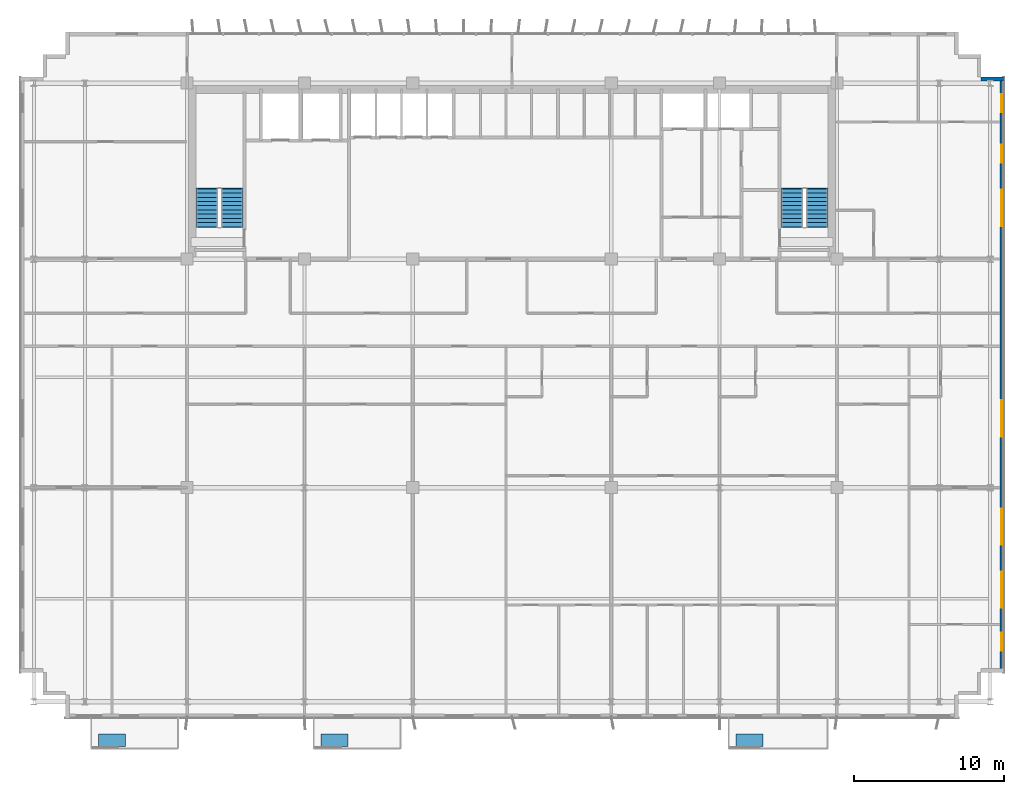
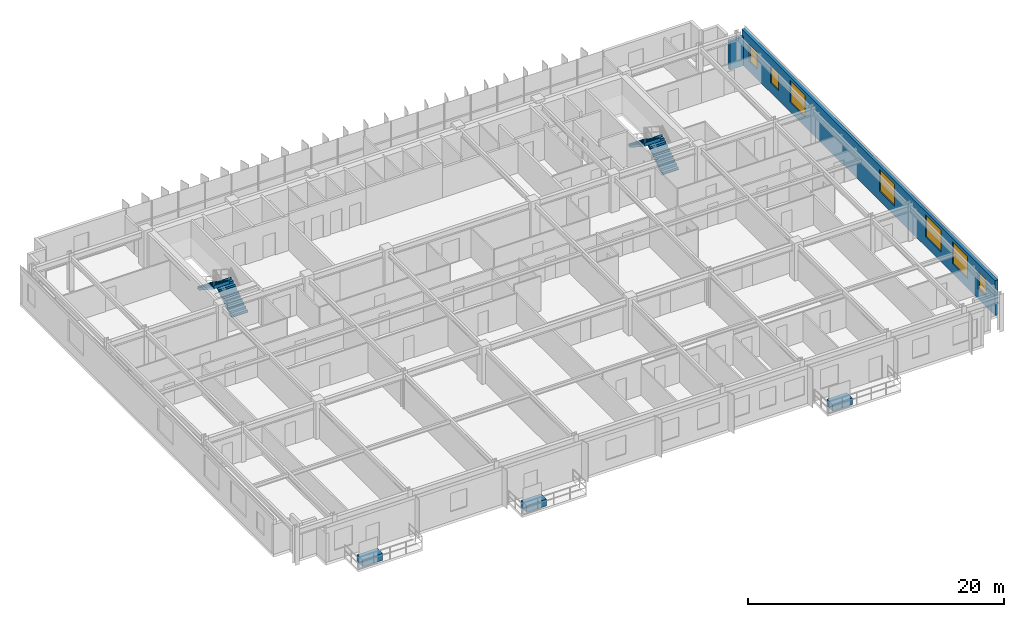
# One storey, part 19 of 22: 7 windows, 4 stair flights, 3 discrete accessories, 2 walls, 7 openings, 2 elements without a shape of their own.
"""IFC4 building model written with IfcOpenShell, lengths in metres."""

from ifc_helpers import new_model, si_unit, direction, frame, frame_2d, origin, origin_2d, place, context, subcontext, project, spatial, polyline, rectangle, outline, extrude, source, transform, mapped, material, layer, layer_set, type_object, element, fill, aggregate, save


model = new_model("IFC4")

# Units and contexts
model_context = context("Model", 3, precision=1e-05, world=origin(), true_north=direction((0.0, 1.0)))
body_context = subcontext(model_context, "Body", "Model", "MODEL_VIEW")
ifc_project = project(units=[si_unit("LENGTHUNIT", "METRE"), si_unit("AREAUNIT", "SQUARE_METRE"), si_unit("VOLUMEUNIT", "CUBIC_METRE"), si_unit("PLANEANGLEUNIT", "RADIAN"), si_unit("MASSUNIT", "GRAM", prefix="KILO")], contexts=[model_context])

# Site, building, storey
site_placement = place(None, origin())
site = spatial("IfcSite", under=ifc_project, at=site_placement, CompositionType="ELEMENT")
building_placement = place(site_placement, origin())
building = spatial("IfcBuilding", under=site, at=building_placement, Name="Trelvane Seafront Commons", CompositionType="ELEMENT")
storey_placement = place(building_placement, frame((0.0, 0.0, 85.300048828125)))
storey = spatial("IfcBuildingStorey", under=building, at=storey_placement, Name="L21", CompositionType="ELEMENT", Elevation=85.300048828125)

# Wall
ifc_material_1 = material(Name="Precast concrete C40/50", Category="concrete")
ifc_layer = layer(ifc_material_1, 0.260009765625, Name="ARCH-WALL-EXT260")
ifc_layer_set = layer_set([ifc_layer], Name="Precast concrete C40/50")
wall_type = type_object("IfcWallType", Name="ARCH-WALL-EXT260", PredefinedType="SOLIDWALL", material=ifc_layer_set)
wall_1_placement = place(storey_placement, frame((68.39990234375, 45.3701171875, 0.0), z_axis=(0.0, 0.0, 1.0), x_axis=(1.0, 0.0, 0.0)))
element("IfcWall", 1, at=wall_1_placement, inside=storey, type_object=wall_type, Name="EW-L21-00383", PredefinedType="SOLIDWALL", context=body_context, shape_type="SweptSolid", body=[
    extrude(rectangle(XDim=1.5, YDim=0.260009765625, at=frame_2d((0.75, 0.0))), origin(), (0.0, 0.0, 1.0), 2.751953125),
])

# Wall, openings, windows
wall_2_placement = place(storey_placement, frame((69.77001953125, 45.5, 0.0), z_axis=(0.0, 0.0, 1.0), x_axis=(0.0, -1.0, 0.0)))
wall_2 = element("IfcWall", 2, at=wall_2_placement, inside=storey, type_object=wall_type, Name="EW-L21-00384", PredefinedType="SOLIDWALL", context=body_context, shape_type="SweptSolid", body=[
    extrude(rectangle(XDim=39.60009765625, YDim=0.260009765625, at=frame_2d((19.800048828125, 0.0))), origin(), (0.0, 0.0, 1.0), 3.33984375),
])
opening_1_placement = place(wall_2_placement, frame((36.949951171875, 0.0, 0.919921875)))
opening_1 = element("IfcOpeningElement", 3, at=opening_1_placement, cuts=wall_2, Name="Opening W05", PredefinedType="OPENING", context=body_context, shape_type="SweptSolid", body=[
    extrude(rectangle(XDim=1.199951171875, YDim=1.64990234375, at=frame_2d((0.60009765625, 0.824951171875))), frame((0.0, 0.139892578125, 0.0), z_axis=(0.0, -1.0, 0.0), x_axis=(1.0, 0.0, 0.0)), (0.0, 0.0, 1.0), 0.280029296875),
])
opening_2_placement = place(wall_2_placement, frame((32.89990234375, 0.0, 0.919921875)))
opening_2 = element("IfcOpeningElement", 4, at=opening_2_placement, cuts=wall_2, Name="Opening W08", PredefinedType="OPENING", context=body_context, shape_type="SweptSolid", body=[
    extrude(rectangle(XDim=2.39990234375, YDim=2.10009765625, at=frame_2d((1.199951171875, 1.050048828125))), frame((0.0, 0.139892578125, 0.0), z_axis=(0.0, -1.0, 0.0), x_axis=(1.0, 0.0, 0.0)), (0.0, 0.0, 1.0), 0.280029296875),
])
opening_3_placement = place(wall_2_placement, frame((28.699951171875, 0.0, 0.919921875)))
opening_3 = element("IfcOpeningElement", 5, at=opening_3_placement, cuts=wall_2, Name="Opening W08", PredefinedType="OPENING", context=body_context, shape_type="SweptSolid", body=[
    extrude(rectangle(XDim=2.39990234375, YDim=2.10009765625, at=frame_2d((1.199951171875, 1.050048828125))), frame((0.0, 0.139892578125, 0.0), z_axis=(0.0, -1.0, 0.0), x_axis=(1.0, 0.0, 0.0)), (0.0, 0.0, 1.0), 0.280029296875),
])
opening_4_placement = place(wall_2_placement, frame((21.5, 0.0, 0.919921875)))
opening_4 = element("IfcOpeningElement", 6, at=opening_4_placement, cuts=wall_2, Name="Opening W08", PredefinedType="OPENING", context=body_context, shape_type="SweptSolid", body=[
    extrude(rectangle(XDim=2.39990234375, YDim=2.10009765625, at=frame_2d((1.199951171875, 1.050048828125))), frame((0.0, 0.139892578125, 0.0), z_axis=(0.0, -1.0, 0.0), x_axis=(1.0, 0.0, 0.0)), (0.0, 0.0, 1.0), 0.280029296875),
])
opening_5_placement = place(wall_2_placement, frame((7.5, 0.0, 0.919921875)))
opening_5 = element("IfcOpeningElement", 7, at=opening_5_placement, cuts=wall_2, Name="Opening W08", PredefinedType="OPENING", context=body_context, shape_type="SweptSolid", body=[
    extrude(rectangle(XDim=2.39990234375, YDim=2.10009765625, at=frame_2d((1.199951171875, 1.050048828125))), frame((0.0, 0.139892578125, 0.0), z_axis=(0.0, -1.0, 0.0), x_axis=(1.0, 0.0, 0.0)), (0.0, 0.0, 1.0), 0.280029296875),
])
opening_6_placement = place(wall_2_placement, frame((4.5, 0.0, 0.919921875)))
opening_6 = element("IfcOpeningElement", 8, at=opening_6_placement, cuts=wall_2, Name="Opening W05", PredefinedType="OPENING", context=body_context, shape_type="SweptSolid", body=[
    extrude(rectangle(XDim=1.199951171875, YDim=1.64990234375, at=frame_2d((0.60009765625, 0.824951171875))), frame((0.0, 0.139892578125, 0.0), z_axis=(0.0, -1.0, 0.0), x_axis=(1.0, 0.0, 0.0)), (0.0, 0.0, 1.0), 0.280029296875),
])
opening_7_placement = place(wall_2_placement, frame((1.14990234375, 0.0, 0.919921875)))
opening_7 = element("IfcOpeningElement", 9, at=opening_7_placement, cuts=wall_2, Name="Opening W05", PredefinedType="OPENING", context=body_context, shape_type="SweptSolid", body=[
    extrude(rectangle(XDim=1.199951171875, YDim=1.64990234375, at=frame_2d((0.60009765625, 0.824951171875))), frame((0.0, 0.139892578125, 0.0), z_axis=(0.0, -1.0, 0.0), x_axis=(1.0, 0.0, 0.0)), (0.0, 0.0, 1.0), 0.280029296875),
])
ifc_material_2 = material(Name="Low-E coastal double glazing", Category="glass")
window_type_1 = type_object("IfcWindowType", Name="ARCH-WIN-W08", PartitioningType="SINGLE_PANEL", PredefinedType="WINDOW", material=ifc_material_2)
shared_shape_1 = source(origin(), body_context, "Body", "SweptSolid", [
    extrude(rectangle(XDim=2.39990234375, YDim=2.10009765625, at=frame_2d((1.199951171875, 1.050048828125))), frame((0.0, 0.030029296875, 0.0), z_axis=(0.0, -1.0, 0.0), x_axis=(1.0, 0.0, 0.0)), (0.0, 0.0, 1.0), 0.06005859375),
])
window_1_placement = place(opening_2_placement, origin())
window_1 = element("IfcWindow", 10, at=window_1_placement, inside=storey, type_object=window_type_1, Name="WIN-L21-EW-00432", OverallHeight=2.10009765625, OverallWidth=2.39990234375, PartitioningType="SINGLE_PANEL", PredefinedType="WINDOW", context=body_context, shape_type="MappedRepresentation", body=[
    mapped(shared_shape_1, transform((0.0, 0.0, 0.0), x_axis=(1.0, 0.0, 0.0), y_axis=(0.0, 1.0, 0.0), z_axis=(0.0, 0.0, 1.0), scale=1.0)),
])
fill(opening_2, window_1)
window_2_placement = place(opening_3_placement, origin())
window_2 = element("IfcWindow", 11, at=window_2_placement, inside=storey, type_object=window_type_1, Name="WIN-L21-EW-00433", OverallHeight=2.10009765625, OverallWidth=2.39990234375, PartitioningType="SINGLE_PANEL", PredefinedType="WINDOW", context=body_context, shape_type="MappedRepresentation", body=[
    mapped(shared_shape_1, transform((0.0, 0.0, 0.0), x_axis=(1.0, 0.0, 0.0), y_axis=(0.0, 1.0, 0.0), z_axis=(0.0, 0.0, 1.0), scale=1.0)),
])
fill(opening_3, window_2)
window_3_placement = place(opening_4_placement, origin())
window_3 = element("IfcWindow", 12, at=window_3_placement, inside=storey, type_object=window_type_1, Name="WIN-L21-EW-00434", OverallHeight=2.10009765625, OverallWidth=2.39990234375, PartitioningType="SINGLE_PANEL", PredefinedType="WINDOW", context=body_context, shape_type="MappedRepresentation", body=[
    mapped(shared_shape_1, transform((0.0, 0.0, 0.0), x_axis=(1.0, 0.0, 0.0), y_axis=(0.0, 1.0, 0.0), z_axis=(0.0, 0.0, 1.0), scale=1.0)),
])
fill(opening_4, window_3)
window_4_placement = place(opening_5_placement, origin())
window_4 = element("IfcWindow", 13, at=window_4_placement, inside=storey, type_object=window_type_1, Name="WIN-L21-EW-00435", OverallHeight=2.10009765625, OverallWidth=2.39990234375, PartitioningType="SINGLE_PANEL", PredefinedType="WINDOW", context=body_context, shape_type="MappedRepresentation", body=[
    mapped(shared_shape_1, transform((0.0, 0.0, 0.0), x_axis=(1.0, 0.0, 0.0), y_axis=(0.0, 1.0, 0.0), z_axis=(0.0, 0.0, 1.0), scale=1.0)),
])
fill(opening_5, window_4)
window_type_2 = type_object("IfcWindowType", Name="ARCH-WIN-W05", PartitioningType="SINGLE_PANEL", PredefinedType="WINDOW", material=ifc_material_2)
shared_shape_2 = source(origin(), body_context, "Body", "SweptSolid", [
    extrude(rectangle(XDim=1.199951171875, YDim=1.64990234375, at=frame_2d((0.60009765625, 0.824951171875))), frame((0.0, 0.030029296875, 0.0), z_axis=(0.0, -1.0, 0.0), x_axis=(1.0, 0.0, 0.0)), (0.0, 0.0, 1.0), 0.06005859375),
])
window_5_placement = place(opening_1_placement, origin())
window_5 = element("IfcWindow", 14, at=window_5_placement, inside=storey, type_object=window_type_2, Name="WIN-L21-EW-00431", OverallHeight=1.64990234375, OverallWidth=1.199951171875, PartitioningType="SINGLE_PANEL", PredefinedType="WINDOW", context=body_context, shape_type="MappedRepresentation", body=[
    mapped(shared_shape_2, transform((0.0, 0.0, 0.0), x_axis=(1.0, 0.0, 0.0), y_axis=(0.0, 1.0, 0.0), z_axis=(0.0, 0.0, 1.0), scale=1.0)),
])
fill(opening_1, window_5)
window_6_placement = place(opening_6_placement, origin())
window_6 = element("IfcWindow", 15, at=window_6_placement, inside=storey, type_object=window_type_2, Name="WIN-L21-EW-00436", OverallHeight=1.64990234375, OverallWidth=1.199951171875, PartitioningType="SINGLE_PANEL", PredefinedType="WINDOW", context=body_context, shape_type="MappedRepresentation", body=[
    mapped(shared_shape_2, transform((0.0, 0.0, 0.0), x_axis=(1.0, 0.0, 0.0), y_axis=(0.0, 1.0, 0.0), z_axis=(0.0, 0.0, 1.0), scale=1.0)),
])
fill(opening_6, window_6)
window_7_placement = place(opening_7_placement, origin())
window_7 = element("IfcWindow", 16, at=window_7_placement, inside=storey, type_object=window_type_2, Name="WIN-L21-EW-00437", OverallHeight=1.64990234375, OverallWidth=1.199951171875, PartitioningType="SINGLE_PANEL", PredefinedType="WINDOW", context=body_context, shape_type="MappedRepresentation", body=[
    mapped(shared_shape_2, transform((0.0, 0.0, 0.0), x_axis=(1.0, 0.0, 0.0), y_axis=(0.0, 1.0, 0.0), z_axis=(0.0, 0.0, 1.0), scale=1.0)),
])
fill(opening_7, window_7)

# Stair, stair flights
ifc_material_3 = material(Name="Concrete C40/50", Category="concrete")
stair_type_1 = type_object("IfcStairType", Name="ARCH-STR-ST-1-R20-180", PredefinedType="HALF_TURN_STAIR", material=ifc_material_3)
stair_1_placement = place(storey_placement, origin())
stair_1 = element("IfcStair", 17, at=stair_1_placement, inside=storey, type_object=stair_type_1, Name="L21 West Protected Firefighting Exit Stair ST-1", PredefinedType="HALF_TURN_STAIR")
stair_flight_type_1 = type_object("IfcStairFlightType", Name="ARCH-FLG-ST-1-R20-180", PredefinedType="STRAIGHT", material=ifc_material_3)
shared_shape_3 = source(origin(), body_context, "Body", "SweptSolid", [
    extrude(outline(polyline([(-0.050048828125, -0.02001953125), (-0.050048828125, 0.0), (0.0, 0.0), (0.0, 0.179931640625), (0.280029296875, 0.179931640625), (0.280029296875, 0.360107421875), (0.56005859375, 0.360107421875), (0.56005859375, 0.5400390625), (0.840087890625, 0.5400390625), (0.840087890625, 0.719970703125), (1.1201171875, 0.719970703125), (1.1201171875, 0.89990234375), (1.39990234375, 0.89990234375), (1.39990234375, 1.080078125), (1.679931640625, 1.080078125), (1.679931640625, 1.260009765625), (1.9599609375, 1.260009765625), (1.9599609375, 1.43994140625), (2.239990234375, 1.43994140625), (2.239990234375, 1.6201171875), (2.52001953125, 1.6201171875), (2.52001953125, 1.800048828125), (2.570068359375, 1.800048828125), (2.570068359375, 1.650146484375), (2.52001953125, 1.44189453125), (0.277099609375, -0.02001953125), (-0.050048828125, -0.02001953125)])), frame((0.0, 0.72509765625, 0.0), z_axis=(0.0, -1.0, 0.0), x_axis=(1.0, 0.0, 0.0)), (0.0, 0.0, 1.0), 1.449951171875),
])
stair_flight_1_placement = place(storey_placement, frame((18.574951171875, 35.550048828125, 0.0), z_axis=(0.0, 0.0, 1.0), x_axis=(0.0, 1.0, 0.0)))
stair_flight_1 = element("IfcStairFlight", 18, at=stair_flight_1_placement, type_object=stair_flight_type_1, Name="ST-1 flight 1", NumberOfRisers=10, NumberOfTreads=9, PredefinedType="STRAIGHT", RiserHeight=0.18, TreadLength=0.28, context=body_context, shape_type="MappedRepresentation", body=[
    mapped(shared_shape_3, transform((0.0, 0.0, 0.0), x_axis=(1.0, 0.0, 0.0), y_axis=(0.0, 1.0, 0.0), z_axis=(0.0, 0.0, 1.0), scale=1.0)),
])
stair_flight_2_placement = place(storey_placement, frame((16.925048828125, 38.070068359375, 1.800048828125), z_axis=(0.0, 0.0, 1.0), x_axis=(0.0, -1.0, 0.0)))
stair_flight_2 = element("IfcStairFlight", 19, at=stair_flight_2_placement, type_object=stair_flight_type_1, Name="ST-1 flight 2", NumberOfRisers=10, NumberOfTreads=9, PredefinedType="STRAIGHT", RiserHeight=0.18, TreadLength=0.28, context=body_context, shape_type="MappedRepresentation", body=[
    mapped(shared_shape_3, transform((0.0, 0.0, 0.0), x_axis=(1.0, 0.0, 0.0), y_axis=(0.0, 1.0, 0.0), z_axis=(0.0, 0.0, 1.0), scale=1.0)),
])
aggregate(stair_1, [stair_flight_1, stair_flight_2])

stair_type_2 = type_object("IfcStairType", Name="ARCH-STR-ST-2-R20-180", PredefinedType="HALF_TURN_STAIR", material=ifc_material_3)
stair_2_placement = place(storey_placement, origin())
stair_2 = element("IfcStair", 20, at=stair_2_placement, inside=storey, type_object=stair_type_2, Name="L21 East Protected Firefighting Exit Stair ST-2", PredefinedType="HALF_TURN_STAIR")
stair_flight_type_2 = type_object("IfcStairFlightType", Name="ARCH-FLG-ST-2-R20-180", PredefinedType="STRAIGHT", material=ifc_material_3)
stair_flight_3_placement = place(storey_placement, frame((57.47509765625, 35.550048828125, 0.0), z_axis=(0.0, 0.0, 1.0), x_axis=(0.0, 1.0, 0.0)))
stair_flight_3 = element("IfcStairFlight", 21, at=stair_flight_3_placement, type_object=stair_flight_type_2, Name="ST-2 flight 1", NumberOfRisers=10, NumberOfTreads=9, PredefinedType="STRAIGHT", RiserHeight=0.18, TreadLength=0.28, context=body_context, shape_type="MappedRepresentation", body=[
    mapped(shared_shape_3, transform((0.0, 0.0, 0.0), x_axis=(1.0, 0.0, 0.0), y_axis=(0.0, 1.0, 0.0), z_axis=(0.0, 0.0, 1.0), scale=1.0)),
])
stair_flight_4_placement = place(storey_placement, frame((55.824951171875, 38.070068359375, 1.800048828125), z_axis=(0.0, 0.0, 1.0), x_axis=(0.0, -1.0, 0.0)))
stair_flight_4 = element("IfcStairFlight", 22, at=stair_flight_4_placement, type_object=stair_flight_type_2, Name="ST-2 flight 2", NumberOfRisers=10, NumberOfTreads=9, PredefinedType="STRAIGHT", RiserHeight=0.18, TreadLength=0.28, context=body_context, shape_type="MappedRepresentation", body=[
    mapped(shared_shape_3, transform((0.0, 0.0, 0.0), x_axis=(1.0, 0.0, 0.0), y_axis=(0.0, 1.0, 0.0), z_axis=(0.0, 0.0, 1.0), scale=1.0)),
])
aggregate(stair_2, [stair_flight_3, stair_flight_4])

# Discrete accessories
discrete_accessory_type = type_object("IfcDiscreteAccessoryType", Name="ARCH-ACC-PLANTER", PredefinedType="USERDEFINED", material=ifc_material_1)
shared_shape_4 = source(origin(), body_context, "Body", "SweptSolid", [
    extrude(rectangle(XDim=1.800048828125, YDim=0.85009765625, at=origin_2d()), origin(), (0.0, 0.0, 1.0), 0.64990234375),
])
for number, where, z_axis, x_axis, name in (
    (23, (10.60009765625, 1.39990234375, 0.0), (0.0, 0.0, 1.0), (1.0, 0.0, 0.0), "PLN-L21-B0-023"),
    (24, (25.39990234375, 1.39990234375, 0.0), (0.0, 0.0, 1.0), (1.0, 0.0, 0.0), "PLN-L21-B1-024"),
    (25, (53.0, 1.39990234375, 0.0), (0.0, 0.0, 1.0), (1.0, 0.0, 0.0), "PLN-L21-B2-025"),
):
    element("IfcDiscreteAccessory", number, at=place(storey_placement, frame(where, z_axis=z_axis, x_axis=x_axis)), inside=storey, type_object=discrete_accessory_type, Name=name, ObjectType="BALCONY TREE PLANTER", PredefinedType="USERDEFINED", context=body_context, shape_type="MappedRepresentation", body=[
        mapped(shared_shape_4, transform((0.0, 0.0, 0.0), x_axis=(1.0, 0.0, 0.0), y_axis=(0.0, 1.0, 0.0), z_axis=(0.0, 0.0, 1.0), scale=1.0)),
    ])

save(model, "model.ifc")
